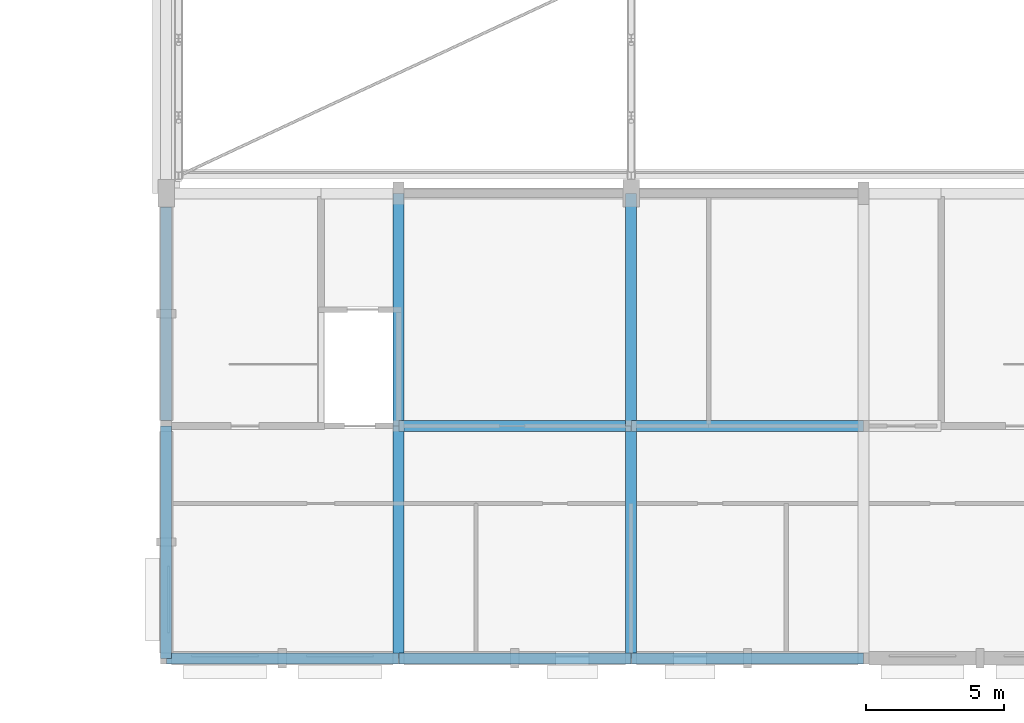
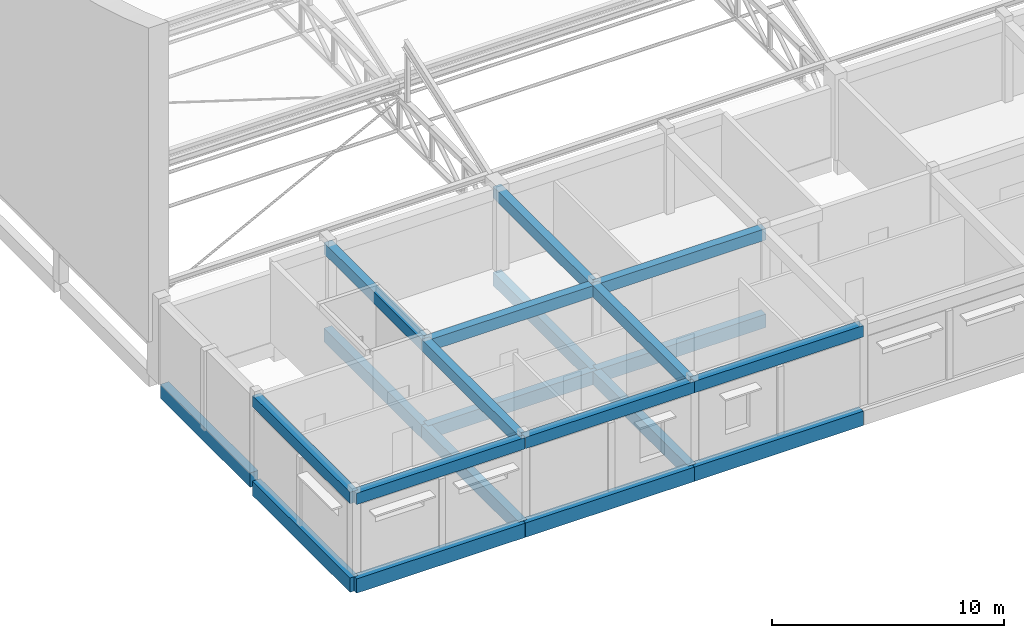
# One storey, part 8 of 101: 21 beams.
"""IFC4 building model written with IfcOpenShell, lengths in metres."""

from ifc_helpers import new_model, si_unit, direction, frame, origin, origin_2d, place, context, subcontext, project, spatial, rectangle, extrude, material, material_profile, profile_set, type_object, element, save


model = new_model("IFC4")

# Units and contexts
model_context = context("Model", 3, precision=1e-05, world=origin(), true_north=direction((0.0, 1.0)))
body_context = subcontext(model_context, "Body", "Model", "MODEL_VIEW")
ifc_project = project(units=[si_unit("LENGTHUNIT", "METRE"), si_unit("AREAUNIT", "SQUARE_METRE"), si_unit("VOLUMEUNIT", "CUBIC_METRE"), si_unit("PLANEANGLEUNIT", "RADIAN"), si_unit("MASSUNIT", "GRAM", prefix="KILO")], contexts=[model_context])

# Site, building, storey
site_placement = place(None, origin())
site = spatial("IfcSite", under=ifc_project, at=site_placement, CompositionType="ELEMENT")
building_placement = place(site_placement, origin())
building = spatial("IfcBuilding", under=site, at=building_placement, Name="Fescue Hill Polytechnic", CompositionType="ELEMENT")
storey_placement = place(building_placement, frame((0.0, 0.0, 9.0)))
storey = spatial("IfcBuildingStorey", under=building, at=storey_placement, Name="L02", CompositionType="ELEMENT", Elevation=9.0)

# Beams
ifc_material = material(Name="Concrete 35 MPa", Category="concrete")
ifc_material_profile_1 = material_profile(ifc_material, rectangle(XDim=0.39990234375, YDim=0.60009765625, at=origin_2d()), Name="RC 400x600")
ifc_profile_set_1 = profile_set([ifc_material_profile_1], Name="Concrete 35 MPa")
beam_type_1 = type_object("IfcBeamType", Name="Beam RC 400x600", PredefinedType="BEAM", material=ifc_profile_set_1)
beam_1_placement = place(storey_placement, frame((0.0, 0.0, 3.89990234375), z_axis=(0.0, 1.0, 0.0), x_axis=(-1.0, 0.0, 0.0)))
element("IfcBeam", 1, at=beam_1_placement, inside=storey, type_object=beam_type_1, Name="BR-L02-0001", PredefinedType="BEAM", context=body_context, shape_type="SweptSolid", body=[
    extrude(rectangle(XDim=0.39990234375, YDim=0.60009765625, at=origin_2d()), origin(), (0.0, 0.0, 1.0), 8.39990234375),
])
beam_2_placement = place(storey_placement, frame((0.010009765625, 0.0, 3.89990234375), z_axis=(1.0, 0.0, 0.0), x_axis=(0.0, 1.0, 0.0)))
element("IfcBeam", 2, at=beam_2_placement, inside=storey, type_object=beam_type_1, Name="BR-L02-0002", PredefinedType="BEAM", context=body_context, shape_type="SweptSolid", body=[
    extrude(rectangle(XDim=0.39990234375, YDim=0.60009765625, at=origin_2d()), origin(), (0.0, 0.0, 1.0), 8.3798828125),
])
beam_3_placement = place(storey_placement, frame((8.39990234375, 0.0, 3.89990234375), z_axis=(0.0, 1.0, 0.0), x_axis=(-1.0, 0.0, 0.0)))
element("IfcBeam", 3, at=beam_3_placement, inside=storey, type_object=beam_type_1, Name="BR-L02-0004", PredefinedType="BEAM", context=body_context, shape_type="SweptSolid", body=[
    extrude(rectangle(XDim=0.39990234375, YDim=0.60009765625, at=origin_2d()), origin(), (0.0, 0.0, 1.0), 8.39990234375),
])
beam_4_placement = place(storey_placement, frame((8.39990234375, 8.39990234375, 3.89990234375), z_axis=(0.0, 1.0, 0.0), x_axis=(-1.0, 0.0, 0.0)))
element("IfcBeam", 4, at=beam_4_placement, inside=storey, type_object=beam_type_1, Name="BR-L02-0005", PredefinedType="BEAM", context=body_context, shape_type="SweptSolid", body=[
    extrude(rectangle(XDim=0.39990234375, YDim=0.60009765625, at=origin_2d()), origin(), (0.0, 0.0, 1.0), 8.400146484375),
])
for number, where, z_axis, x_axis, name in (
    (5, (8.409912109375, 0.0, 3.89990234375), (1.0, 0.0, 0.0), (0.0, 1.0, 0.0), "BR-L02-0006"),
    (6, (8.409912109375, 8.39990234375, 3.89990234375), (1.0, 0.0, 0.0), (0.0, 1.0, 0.0), "BR-L02-0007"),
):
    element("IfcBeam", number, at=place(storey_placement, frame(where, z_axis=z_axis, x_axis=x_axis)), inside=storey, type_object=beam_type_1, Name=name, PredefinedType="BEAM", context=body_context, shape_type="SweptSolid", body=[
        extrude(rectangle(XDim=0.39990234375, YDim=0.60009765625, at=origin_2d()), origin(), (0.0, 0.0, 1.0), 8.380126953125),
    ])
beam_5_placement = place(storey_placement, frame((16.800048828125, 0.0, 3.89990234375), z_axis=(0.0, 1.0, 0.0), x_axis=(-1.0, 0.0, 0.0)))
element("IfcBeam", 7, at=beam_5_placement, inside=storey, type_object=beam_type_1, Name="BR-L02-0009", PredefinedType="BEAM", context=body_context, shape_type="SweptSolid", body=[
    extrude(rectangle(XDim=0.39990234375, YDim=0.60009765625, at=origin_2d()), origin(), (0.0, 0.0, 1.0), 8.39990234375),
])
beam_6_placement = place(storey_placement, frame((16.800048828125, 8.39990234375, 3.89990234375), z_axis=(0.0, 1.0, 0.0), x_axis=(-1.0, 0.0, 0.0)))
element("IfcBeam", 8, at=beam_6_placement, inside=storey, type_object=beam_type_1, Name="BR-L02-0010", PredefinedType="BEAM", context=body_context, shape_type="SweptSolid", body=[
    extrude(rectangle(XDim=0.39990234375, YDim=0.60009765625, at=origin_2d()), origin(), (0.0, 0.0, 1.0), 8.400146484375),
])
for number, where, z_axis, x_axis, name in (
    (9, (16.81005859375, 0.0, 3.89990234375), (1.0, 0.0, 0.0), (0.0, 1.0, 0.0), "BR-L02-0011"),
    (10, (16.81005859375, 8.39990234375, 3.89990234375), (1.0, 0.0, 0.0), (0.0, 1.0, 0.0), "BR-L02-0012"),
):
    element("IfcBeam", number, at=place(storey_placement, frame(where, z_axis=z_axis, x_axis=x_axis)), inside=storey, type_object=beam_type_1, Name=name, PredefinedType="BEAM", context=body_context, shape_type="SweptSolid", body=[
        extrude(rectangle(XDim=0.39990234375, YDim=0.60009765625, at=origin_2d()), origin(), (0.0, 0.0, 1.0), 8.3798828125),
    ])
ifc_material_profile_2 = material_profile(ifc_material, rectangle(XDim=0.39990234375, YDim=0.699951171875, at=origin_2d()), Name="RC 400x700")
ifc_profile_set_2 = profile_set([ifc_material_profile_2], Name="Concrete 35 MPa")
beam_type_2 = type_object("IfcBeamType", Name="Beam RC 400x700", PredefinedType="BEAM", material=ifc_profile_set_2)
beam_7_placement = place(storey_placement, frame((8.39990234375, 0.0, -0.64990234375), z_axis=(0.0, 1.0, 0.0), x_axis=(-1.0, 0.0, 0.0)))
element("IfcBeam", 11, at=beam_7_placement, inside=storey, type_object=beam_type_2, Name="BM-L02-0015", PredefinedType="BEAM", context=body_context, shape_type="SweptSolid", body=[
    extrude(rectangle(XDim=0.39990234375, YDim=0.699951171875, at=origin_2d()), origin(), (0.0, 0.0, 1.0), 8.39990234375),
])
beam_8_placement = place(storey_placement, frame((8.39990234375, 8.39990234375, -0.64990234375), z_axis=(0.0, 1.0, 0.0), x_axis=(-1.0, 0.0, 0.0)))
element("IfcBeam", 12, at=beam_8_placement, inside=storey, type_object=beam_type_2, Name="BM-L02-0016", PredefinedType="BEAM", context=body_context, shape_type="SweptSolid", body=[
    extrude(rectangle(XDim=0.39990234375, YDim=0.699951171875, at=origin_2d()), origin(), (0.0, 0.0, 1.0), 8.400146484375),
])
beam_9_placement = place(storey_placement, frame((8.409912109375, 8.39990234375, -0.64990234375), z_axis=(1.0, 0.0, 0.0), x_axis=(0.0, 1.0, 0.0)))
element("IfcBeam", 13, at=beam_9_placement, inside=storey, type_object=beam_type_2, Name="BM-L02-0024", PredefinedType="BEAM", context=body_context, shape_type="SweptSolid", body=[
    extrude(rectangle(XDim=0.39990234375, YDim=0.699951171875, at=origin_2d()), origin(), (0.0, 0.0, 1.0), 8.380126953125),
])
beam_10_placement = place(storey_placement, frame((16.800048828125, 0.0, -0.64990234375), z_axis=(0.0, 1.0, 0.0), x_axis=(-1.0, 0.0, 0.0)))
element("IfcBeam", 14, at=beam_10_placement, inside=storey, type_object=beam_type_2, Name="BM-L02-0032", PredefinedType="BEAM", context=body_context, shape_type="SweptSolid", body=[
    extrude(rectangle(XDim=0.39990234375, YDim=0.699951171875, at=origin_2d()), origin(), (0.0, 0.0, 1.0), 8.39990234375),
])
beam_11_placement = place(storey_placement, frame((16.800048828125, 8.39990234375, -0.64990234375), z_axis=(0.0, 1.0, 0.0), x_axis=(-1.0, 0.0, 0.0)))
element("IfcBeam", 15, at=beam_11_placement, inside=storey, type_object=beam_type_2, Name="BM-L02-0033", PredefinedType="BEAM", context=body_context, shape_type="SweptSolid", body=[
    extrude(rectangle(XDim=0.39990234375, YDim=0.699951171875, at=origin_2d()), origin(), (0.0, 0.0, 1.0), 8.400146484375),
])
beam_12_placement = place(storey_placement, frame((16.81005859375, 8.39990234375, -0.64990234375), z_axis=(1.0, 0.0, 0.0), x_axis=(0.0, 1.0, 0.0)))
element("IfcBeam", 16, at=beam_12_placement, inside=storey, type_object=beam_type_2, Name="BM-L02-0043", PredefinedType="BEAM", context=body_context, shape_type="SweptSolid", body=[
    extrude(rectangle(XDim=0.39990234375, YDim=0.699951171875, at=origin_2d()), origin(), (0.0, 0.0, 1.0), 8.3798828125),
])
ifc_material_profile_3 = material_profile(ifc_material, rectangle(XDim=0.39990234375, YDim=0.75, at=origin_2d()), Name="RC 400x750")
ifc_profile_set_3 = profile_set([ifc_material_profile_3], Name="Concrete 35 MPa")
beam_type_3 = type_object("IfcBeamType", Name="Beam RC 400x750", PredefinedType="BEAM", material=ifc_profile_set_3)
beam_13_placement = place(storey_placement, frame((0.0, 0.0, -0.675048828125), z_axis=(0.0, 1.0, 0.0), x_axis=(-1.0, 0.0, 0.0)))
element("IfcBeam", 17, at=beam_13_placement, inside=storey, type_object=beam_type_3, Name="BM-L02-0001", PredefinedType="BEAM", context=body_context, shape_type="SweptSolid", body=[
    extrude(rectangle(XDim=0.39990234375, YDim=0.75, at=origin_2d()), origin(), (0.0, 0.0, 1.0), 8.39990234375),
])
beam_14_placement = place(storey_placement, frame((0.010009765625, 0.0, -0.675048828125), z_axis=(1.0, 0.0, 0.0), x_axis=(0.0, 1.0, 0.0)))
element("IfcBeam", 18, at=beam_14_placement, inside=storey, type_object=beam_type_3, Name="BM-L02-0007", PredefinedType="BEAM", context=body_context, shape_type="SweptSolid", body=[
    extrude(rectangle(XDim=0.39990234375, YDim=0.75, at=origin_2d()), origin(), (0.0, 0.0, 1.0), 8.3798828125),
])
beam_15_placement = place(storey_placement, frame((8.409912109375, 0.0, -0.675048828125), z_axis=(1.0, 0.0, 0.0), x_axis=(0.0, 1.0, 0.0)))
element("IfcBeam", 19, at=beam_15_placement, inside=storey, type_object=beam_type_3, Name="BM-L02-0023", PredefinedType="BEAM", context=body_context, shape_type="SweptSolid", body=[
    extrude(rectangle(XDim=0.39990234375, YDim=0.75, at=origin_2d()), origin(), (0.0, 0.0, 1.0), 8.380126953125),
])
beam_16_placement = place(storey_placement, frame((16.81005859375, 0.0, -0.675048828125), z_axis=(1.0, 0.0, 0.0), x_axis=(0.0, 1.0, 0.0)))
element("IfcBeam", 20, at=beam_16_placement, inside=storey, type_object=beam_type_3, Name="BM-L02-0042", PredefinedType="BEAM", context=body_context, shape_type="SweptSolid", body=[
    extrude(rectangle(XDim=0.39990234375, YDim=0.75, at=origin_2d()), origin(), (0.0, 0.0, 1.0), 8.3798828125),
])
beam_17_placement = place(storey_placement, frame((0.0, 8.60009765625, -0.375), z_axis=(0.0, 1.0, 0.0), x_axis=(-1.0, 0.0, 0.0)))
element("IfcBeam", 21, at=beam_17_placement, inside=storey, type_object=beam_type_3, Name="BM-L02-0139", PredefinedType="BEAM", context=body_context, shape_type="SweptSolid", body=[
    extrude(rectangle(XDim=0.39990234375, YDim=0.75, at=origin_2d()), origin(), (0.0, 0.0, 1.0), 7.699951171875),
])

save(model, "model.ifc")
